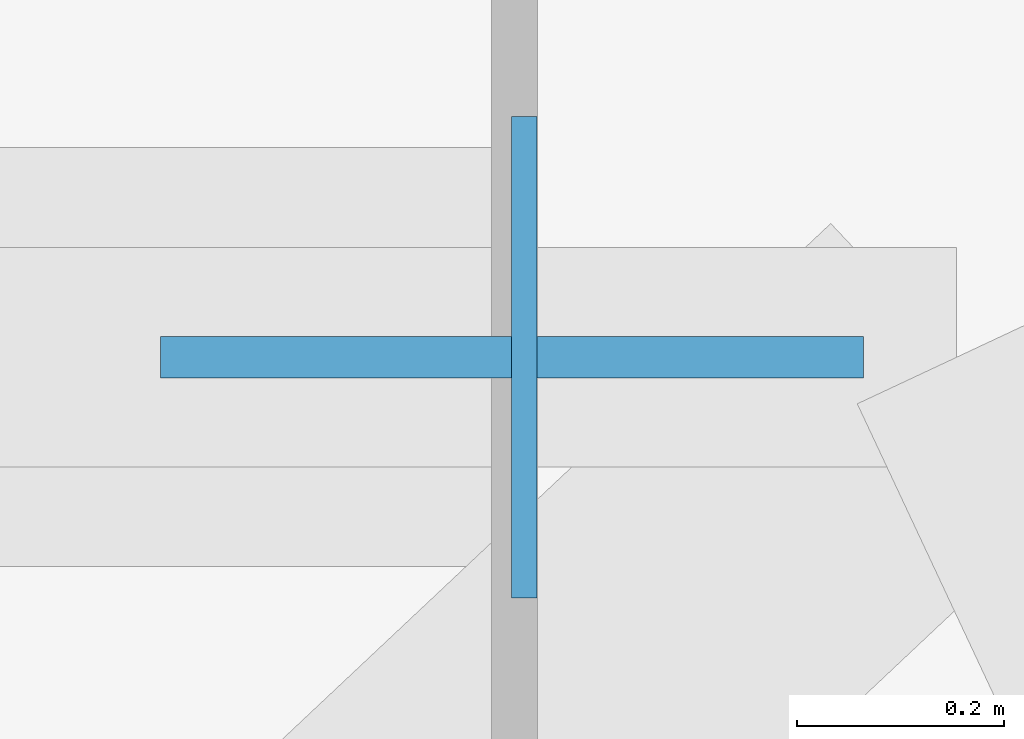
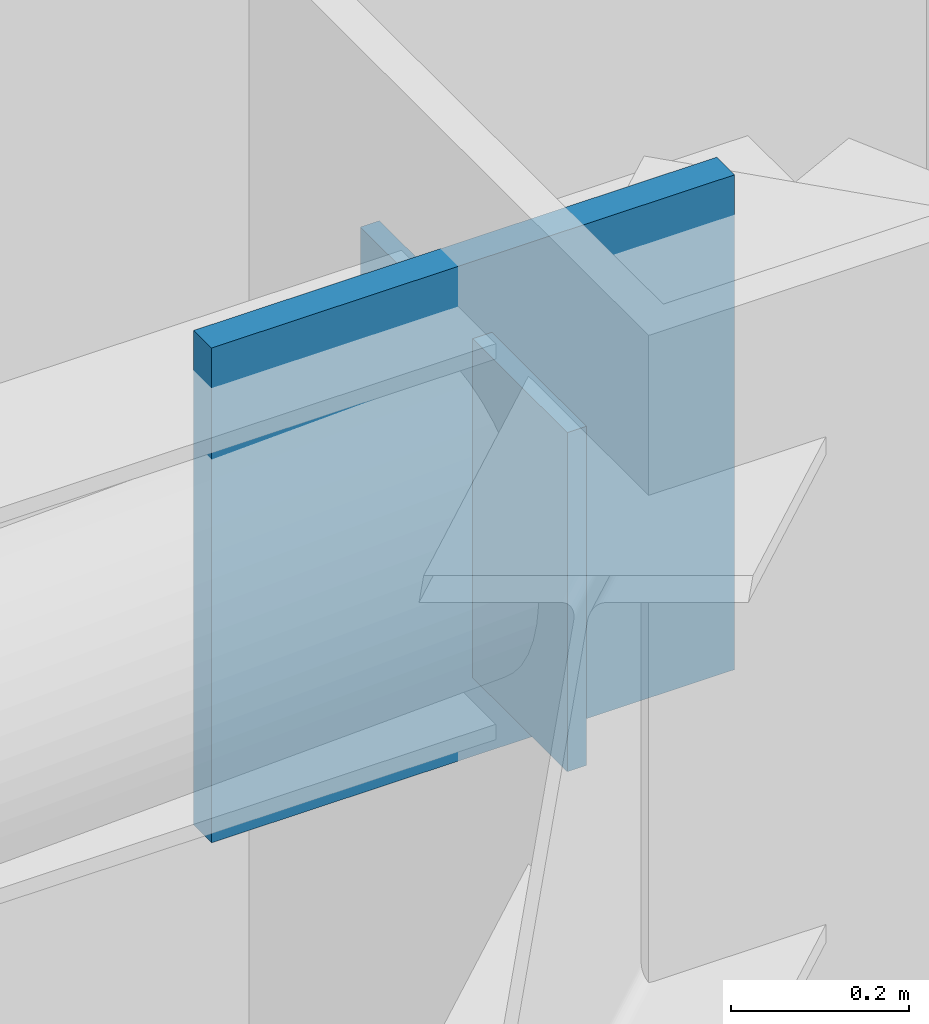
# One storey, part 4 of 11: 2 plates.
"""IFC4 building model written with IfcOpenShell, lengths in metres."""

from ifc_helpers import new_model, si_unit, direction, frame, origin, origin_2d, place, context, subcontext, project, spatial, rectangle, extrude, material, layer, layer_set, type_object, element, save


model = new_model("IFC4")

# Units and contexts
model_context = context("Model", 3, precision=1e-05, world=origin(), true_north=direction((0.0, 1.0)))
body_context = subcontext(model_context, "Body", "Model", "MODEL_VIEW")
ifc_project = project(units=[si_unit("LENGTHUNIT", "METRE"), si_unit("AREAUNIT", "SQUARE_METRE"), si_unit("VOLUMEUNIT", "CUBIC_METRE"), si_unit("PLANEANGLEUNIT", "RADIAN"), si_unit("MASSUNIT", "GRAM", prefix="KILO")], contexts=[model_context])

# Site, building, storey
site_placement = place(None, origin())
site = spatial("IfcSite", under=ifc_project, at=site_placement, CompositionType="ELEMENT")
building_placement = place(site_placement, origin())
building = spatial("IfcBuilding", under=site, at=building_placement, Name="Khamvora Tower", CompositionType="ELEMENT")
storey_placement = place(building_placement, frame((0.0, 0.0, 174.14990234375)))
storey = spatial("IfcBuildingStorey", under=building, at=storey_placement, Name="L44", CompositionType="ELEMENT", Elevation=174.14990234375)

# Plates
ifc_material_1 = material(Name="Steel S355", Category="steel")
ifc_layer_1 = layer(ifc_material_1, 0.02490234375)
ifc_layer_set_1 = layer_set([ifc_layer_1], Name="Steel S355")
plate_type_1 = type_object("IfcPlateType", Name="PL-CAP-25", PredefinedType="SHEET", material=ifc_layer_set_1)
plate_1_placement = place(storey_placement, frame((56.33203125, 44.5, 2.912109375), z_axis=(0.0, 0.0, 1.0), x_axis=(1.0, 0.0, 0.0)))
element("IfcPlate", 1, at=plate_1_placement, inside=storey, type_object=plate_type_1, Name="L44 hollow section steel end cap plate 0959", PredefinedType="SHEET", context=body_context, shape_type="SweptSolid", body=[
    extrude(rectangle(XDim=0.02490234375, YDim=0.466064453125, at=origin_2d()), origin(), (0.0, 0.0, 1.0), 0.466064453125),
])
ifc_material_2 = material(Name="Steel S460", Category="steel")
ifc_layer_2 = layer(ifc_material_2, 0.0400390625)
ifc_layer_set_2 = layer_set([ifc_layer_2], Name="Steel S460")
plate_type_2 = type_object("IfcPlateType", Name="PLT-GUS-40", PredefinedType="SHEET", material=ifc_layer_set_2)
plate_2_placement = place(storey_placement, frame((56.320068359375, 44.5, 2.80419921875), z_axis=(0.0, 0.0, 1.0), x_axis=(1.0, 0.0, 0.0)))
element("IfcPlate", 2, at=plate_2_placement, inside=storey, type_object=plate_type_2, Name="L44 brace connection node gusset plate 0296", PredefinedType="SHEET", context=body_context, shape_type="SweptSolid", body=[
    extrude(rectangle(XDim=0.679931640625, YDim=0.0400390625, at=origin_2d()), origin(), (0.0, 0.0, 1.0), 0.679931640625),
])

save(model, "model.ifc")
